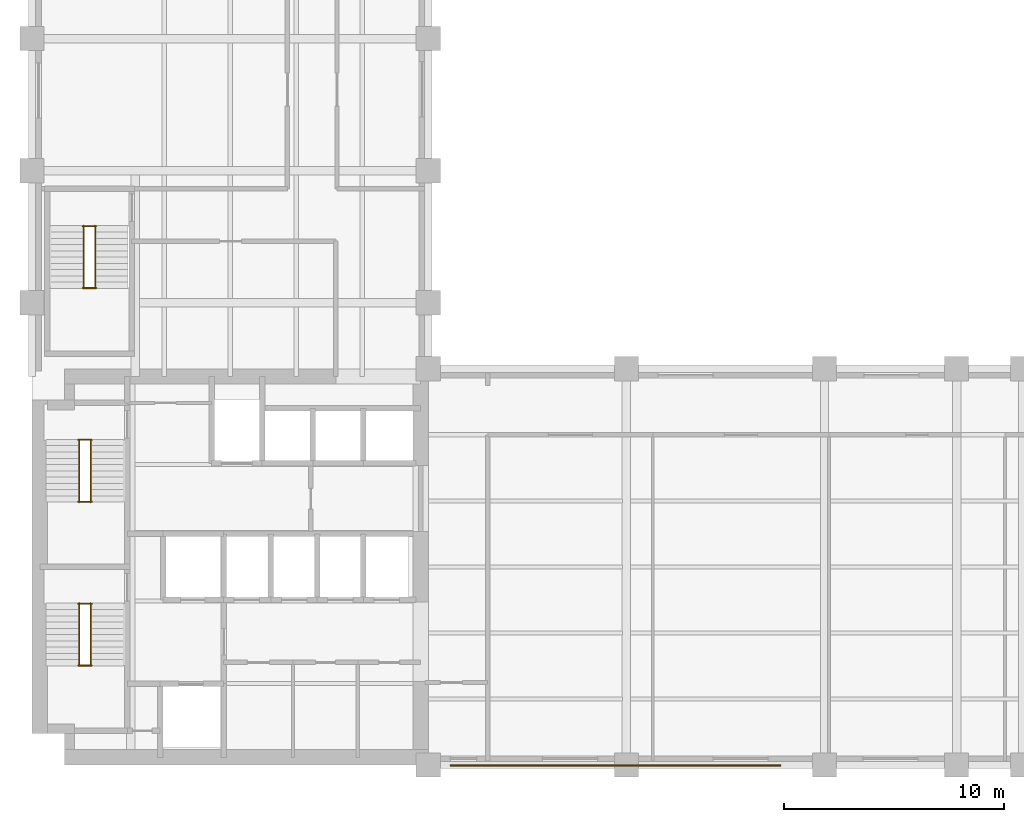
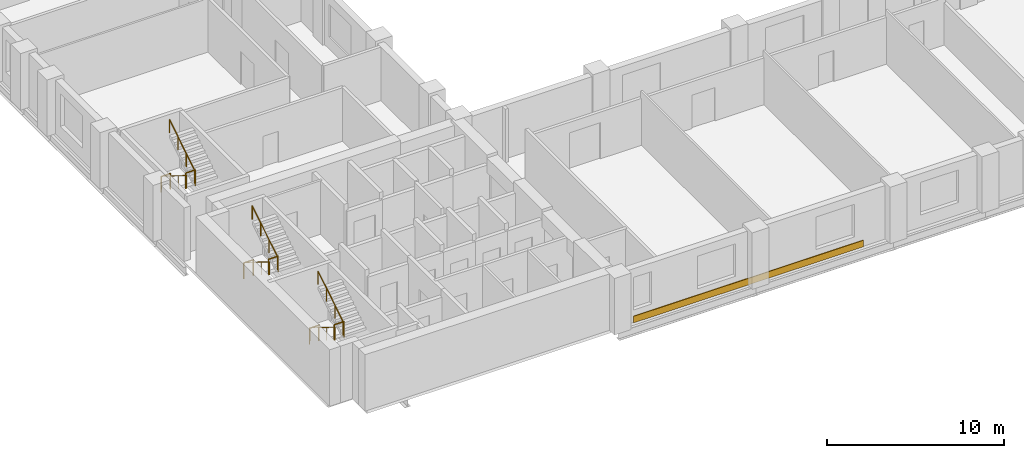
# One storey, part 7 of 7: 12 railings, 1 covering.
"""IFC4 building model written with IfcOpenShell, lengths in metres."""

import ifcopenshell
import ifcopenshell.guid

model = None  # the IFC model being written
_history = None  # IfcOwnerHistory: only IFC2X3 demands one
_inside = {}  # id of a spatial element -> (the spatial element, [elements in it])
_under = {}  # id of a project, library or spatial element -> (it, [spatial elements below it])
_declared = {}  # id of a project -> (the project, [libraries it declares])
_typed = {}  # id of a type object -> (the type object, [elements of that type])
_made_of = {}  # id of a material, layer set ... -> (it, [elements and type objects made of it])


def new_model(schema):
    """Start an empty IFC model of exactly this schema.

    Asked for "IFC4X3", IfcOpenShell would pick the latest addendum, in which some entities
    have other attributes; the version numbers below select the first issue.
    IFC2X3 requires an IfcOwnerHistory on every rooted entity: one is made here for all.
    """
    global model, _history
    if schema == "IFC4X3":
        model = ifcopenshell.file(schema_version=(4, 3, 0, 0))
    else:
        model = ifcopenshell.file(schema=schema)
    _inside.clear()
    _under.clear()
    _declared.clear()
    _typed.clear()
    _made_of.clear()
    _history = None
    if model.schema == "IFC2X3":
        org = make("IfcOrganization", Name="unknown")
        user = make(
            "IfcPersonAndOrganization",
            ThePerson=make("IfcPerson", FamilyName="unknown"),
            TheOrganization=org,
        )
        app = make(
            "IfcApplication",
            ApplicationDeveloper=org,
            Version="unknown",
            ApplicationFullName="unknown",
            ApplicationIdentifier="unknown",
        )
        _history = make(
            "IfcOwnerHistory",
            OwningUser=user,
            OwningApplication=app,
            ChangeAction="ADDED",
            CreationDate=0,
        )
    return model


def make(cls, **values):
    """One entity of the class cls with the attributes given. An attribute that is None is left unset."""
    return model.create_entity(
        cls, **{name: value for name, value in values.items() if value is not None}
    )


def rooted(cls, **values):
    """An entity with a GlobalId (a new one), such as an element, a storey or a relation."""
    return make(cls, GlobalId=ifcopenshell.guid.new(), OwnerHistory=_history, **values)


def si_unit(unit_type, name, prefix=None):
    """IfcSIUnit, for example si_unit("LENGTHUNIT", "METRE", prefix="MILLI")."""
    return make("IfcSIUnit", UnitType=unit_type, Prefix=prefix, Name=name)


def assignment(units):
    """IfcUnitAssignment: the units of a project."""
    return None if units is None else make("IfcUnitAssignment", Units=units)


def point(xyz):
    """IfcCartesianPoint."""
    return None if xyz is None else make("IfcCartesianPoint", Coordinates=xyz)


def direction(xyz):
    """IfcDirection."""
    return None if xyz is None else make("IfcDirection", DirectionRatios=xyz)


def frame(location, z_axis=None, x_axis=None):
    """IfcAxis2Placement3D, a coordinate frame: its origin and axes. An axis left out is left unset."""
    return make(
        "IfcAxis2Placement3D",
        Location=point(location),
        Axis=direction(z_axis),
        RefDirection=direction(x_axis),
    )


def frame_2d(location, x_axis=None):
    """IfcAxis2Placement2D, a coordinate frame in the plane: its origin and x axis."""
    return make(
        "IfcAxis2Placement2D", Location=point(location), RefDirection=direction(x_axis)
    )


def origin():
    """The frame at (0, 0, 0) with its axes left unset."""
    return frame((0.0, 0.0, 0.0))


def origin_2d():
    """The frame at (0, 0) in the plane with its x axis left unset."""
    return frame_2d((0.0, 0.0))


def place(relative_to, where):
    """IfcLocalPlacement: puts the frame where relative to a parent placement (None: the world)."""
    return make(
        "IfcLocalPlacement", PlacementRelTo=relative_to, RelativePlacement=where
    )


def context(
    kind, dimensions, precision=None, world=None, true_north=None, identifier=None
):
    """IfcGeometricRepresentationContext, for example the 3D "Model" context."""
    return make(
        "IfcGeometricRepresentationContext",
        ContextIdentifier=identifier,
        ContextType=kind,
        CoordinateSpaceDimension=dimensions,
        Precision=precision,
        WorldCoordinateSystem=world,
        TrueNorth=true_north,
    )


def subcontext(parent, identifier, kind, view, scale=None):
    """IfcGeometricRepresentationSubContext, for example "Body" below "Model"."""
    return make(
        "IfcGeometricRepresentationSubContext",
        ContextIdentifier=identifier,
        ContextType=kind,
        ParentContext=parent,
        TargetScale=scale,
        TargetView=view,
    )


def project(units=None, contexts=None):
    """IfcProject with its units and contexts."""
    return rooted(
        "IfcProject",
        Name="project",
        RepresentationContexts=contexts,
        UnitsInContext=assignment(units),
    )


def spatial(cls, under=None, at=None, **own):
    """A site, building, storey or space (cls), placed at a placement, below another one or the project."""
    s = rooted(cls, ObjectPlacement=at, **own)
    if under is not None:
        _under.setdefault(under.id(), (under, []))[1].append(s)
    return s


def polyline(points):
    """IfcPolyline through the points."""
    return make("IfcPolyline", Points=[point(p) for p in points])


def profile(cls, at=None, kind="AREA", **sizes):
    """A parametric profile (cls). Its sizes go by their IFC names, for example OverallWidth=200.0."""
    return make(cls, ProfileType=kind, Position=at, **sizes)


def circle(**sizes):
    """IfcCircleProfileDef."""
    return profile("IfcCircleProfileDef", **sizes)


def outline(outer, holes=None, kind="AREA"):
    """IfcArbitraryClosedProfileDef: a profile drawn as a closed curve; with holes, ...WithVoids."""
    if holes is None:
        return make("IfcArbitraryClosedProfileDef", ProfileType=kind, OuterCurve=outer)
    return make(
        "IfcArbitraryProfileDefWithVoids",
        ProfileType=kind,
        OuterCurve=outer,
        InnerCurves=holes,
    )


def extrude(swept, where, along, depth):
    """IfcExtrudedAreaSolid: the profile swept, set in the frame where, extruded along a direction by depth."""
    return make(
        "IfcExtrudedAreaSolid",
        SweptArea=swept,
        Position=where,
        ExtrudedDirection=direction(along),
        Depth=depth,
    )


def shape(context_of_items, identifier, shape_type, items):
    """IfcShapeRepresentation: the items that make up one representation, for example the "Body"."""
    return make(
        "IfcShapeRepresentation",
        ContextOfItems=context_of_items,
        RepresentationIdentifier=identifier,
        RepresentationType=shape_type,
        Items=items,
    )


def material(Name=None, Category=None):
    """IfcMaterial."""
    return make("IfcMaterial", Name=Name, Category=Category)


def layer(
    of_material, thickness, ventilated=None, Name=None, Category=None, Priority=None
):
    """IfcMaterialLayer: one layer of a wall or slab, of a material (None: an air gap)."""
    return make(
        "IfcMaterialLayer",
        Material=of_material,
        LayerThickness=thickness,
        IsVentilated=ventilated,
        Name=Name,
        Category=Category,
        Priority=Priority,
    )


def layer_set(layers, Name=None):
    """IfcMaterialLayerSet."""
    return make("IfcMaterialLayerSet", MaterialLayers=layers, LayerSetName=Name)


def made_of(thing, what):
    """Note that an element or type object is made of a material, layer set ...; save() writes the relation."""
    if what is not None:
        _made_of.setdefault(what.id(), (what, []))[1].append(thing)
    return thing


def type_object(cls, material=None, **own):
    """A type object (cls), such as IfcWallType, which elements share."""
    return made_of(rooted(cls, **own), material)


def element(
    cls,
    number,
    at=None,
    inside=None,
    cuts=None,
    type_object=None,
    material=None,
    context=None,
    identifier="Body",
    shape_type=None,
    held_by="IfcProductDefinitionShape",
    body=None,
    shapes=None,
    **own,
):
    """One element of the class cls, such as IfcWall. Its Tag is "e" and its number.

    at: its placement. inside: the storey or other place that contains it. cuts: it is an
    opening in that element (IfcRelVoidsElement). A single representation is given by context,
    identifier, shape_type and body (its items); several are given by shapes. held_by: the class
    of the entity that holds the representations. save() writes the other relations.
    """
    e = rooted(cls, Tag="e%d" % number, ObjectPlacement=at, **own)
    if body is not None:
        shapes = [shape(context, identifier, shape_type, body)]
    if shapes is not None:
        e.Representation = make(held_by, Representations=shapes)
    if inside is not None:
        _inside.setdefault(inside.id(), (inside, []))[1].append(e)
    if cuts is not None:
        rooted(
            "IfcRelVoidsElement", RelatingBuildingElement=cuts, RelatedOpeningElement=e
        )
    if type_object is not None:
        _typed.setdefault(type_object.id(), (type_object, []))[1].append(e)
    return made_of(e, material)


def aggregate(whole, parts):
    """IfcRelAggregates: a whole, such as a stair, and the parts it consists of."""
    return rooted("IfcRelAggregates", RelatingObject=whole, RelatedObjects=parts)


def save(model, path):
    """Write the relations noted so far, then the file.

    IfcRelAggregates (storeys below a building ...), IfcRelContainedInSpatialStructure (elements
    in a storey), IfcRelDefinesByType, IfcRelAssociatesMaterial and IfcRelDeclares: one each for
    every whole, place, type object, material and project.
    """
    for whole, parts in _under.values():
        aggregate(whole, parts)
    for where, things in _inside.values():
        rooted(
            "IfcRelContainedInSpatialStructure",
            RelatedElements=things,
            RelatingStructure=where,
        )
    for kind, things in _typed.values():
        rooted("IfcRelDefinesByType", RelatedObjects=things, RelatingType=kind)
    for what, things in _made_of.values():
        rooted("IfcRelAssociatesMaterial", RelatedObjects=things, RelatingMaterial=what)
    for by, libraries in _declared.values():
        rooted("IfcRelDeclares", RelatingContext=by, RelatedDefinitions=libraries)
    model.write(path)


model = new_model("IFC4")

# Units and contexts
model_context = context("Model", 3, precision=1e-05, world=origin(), true_north=direction((0.0, 1.0)))
body_context = subcontext(model_context, "Body", "Model", "MODEL_VIEW")
ifc_project = project(units=[si_unit("LENGTHUNIT", "METRE"), si_unit("AREAUNIT", "SQUARE_METRE"), si_unit("VOLUMEUNIT", "CUBIC_METRE"), si_unit("PLANEANGLEUNIT", "RADIAN"), si_unit("MASSUNIT", "GRAM", prefix="KILO")], contexts=[model_context])

# Site, building, storey
site_placement = place(None, origin())
site = spatial("IfcSite", under=ifc_project, at=site_placement, CompositionType="ELEMENT")
building_placement = place(site_placement, origin())
building = spatial("IfcBuilding", under=site, at=building_placement, Name="Mawjdan Bourse Tower", CompositionType="ELEMENT")
storey_placement = place(building_placement, frame((0.0, 0.0, 105.0)))
storey = spatial("IfcBuildingStorey", under=building, at=storey_placement, Name="L24", CompositionType="ELEMENT", Elevation=105.0)

# Covering
ifc_material_1 = material(Name="Honed Qatari Limestone Coping", Category="masonry")
ifc_layer = layer(ifc_material_1, 0.054931640625)
ifc_layer_set = layer_set([ifc_layer], Name="Honed Qatari Limestone Coping")
covering_type = type_object("IfcCoveringType", Name="COV-CLD-SPN", PredefinedType="CLADDING", material=ifc_layer_set)
covering_placement = place(storey_placement, origin())
element("IfcCovering", 1, at=covering_placement, inside=storey, type_object=covering_type, Name="L24 Limestone Spandrel Coping Trim", PredefinedType="CLADDING", context=body_context, shape_type="SweptSolid", body=[
    extrude(outline(polyline([(25.0, 2.949951171875), (40.0, 2.949951171875), (40.0, 3.010009765625), (25.0, 3.010009765625), (25.0, 2.949951171875)])), origin(), (0.0, 0.0, 1.0), 0.449951171875),
])

# Railings
ifc_material_2 = material(Name="Structural Steel S355", Category="steel")
railing_type_1 = type_object("IfcRailingType", Name="RLG-GRD-1100", PredefinedType="GUARDRAIL", material=ifc_material_2)
for number, where, name in (
    (2, (8.090087890625, 7.52001953125, 1.949951171875), "L24 ST1 Landing Guardrail GL-MID"),
    (3, (8.090087890625, 10.330078125, 0.0), "L24 ST1 Landing Guardrail GL-BOT"),
    (4, (8.090087890625, 14.9599609375, 1.949951171875), "L24 ST2 Landing Guardrail GL-MID"),
    (5, (8.090087890625, 17.77001953125, 0.0), "L24 ST2 Landing Guardrail GL-BOT"),
    (6, (8.2900390625, 24.669921875, 1.949951171875), "L24 ST3 Landing Guardrail GL-MID"),
    (7, (8.2900390625, 27.47998046875, 0.0), "L24 ST3 Landing Guardrail GL-BOT"),
):
    element("IfcRailing", number, at=place(storey_placement, frame(where)), inside=storey, type_object=railing_type_1, Name=name, PredefinedType="GUARDRAIL", context=body_context, shape_type="SweptSolid", body=[
        extrude(circle(Radius=0.02490234375, at=origin_2d()), frame((0.0, 0.0, 1.0751953125), z_axis=(1.0, 0.0, 0.0), x_axis=(0.0, 1.0, 0.0)), (0.0, 0.0, 1.0), 0.619873046875),
        extrude(circle(Radius=0.02099609375, at=origin_2d()), origin(), (0.0, 0.0, 1.0), 1.050048828125),
        extrude(circle(Radius=0.02099609375, at=origin_2d()), frame((0.619873046875, 0.0, 0.0)), (0.0, 0.0, 1.0), 1.050048828125),
    ])
ifc_material_3 = material(Name="Brushed Stainless Steel", Category="steel")
railing_type_2 = type_object("IfcRailingType", Name="RLG-HND-920", PredefinedType="HANDRAIL", material=ifc_material_3)
railing_1_placement = place(storey_placement, frame((8.139892578125, 10.35009765625, 0.17724609375)))
element("IfcRailing", 8, at=railing_1_placement, inside=storey, type_object=railing_type_2, Name="L24 ST1 Flight Handrail HR1", PredefinedType="HANDRAIL", context=body_context, shape_type="SweptSolid", body=[
    extrude(circle(Radius=0.0224609375, at=origin_2d()), frame((0.0, 0.0, 0.8974609375), z_axis=(0.0, -0.849148672731, 0.528153890072), x_axis=(1.0, 0.0, 0.0)), (0.0, 0.0, 1.0), 3.3564453125),
    extrude(circle(Radius=0.01904296875, at=origin_2d()), origin(), (0.0, 0.0, 1.0), 0.875),
    extrude(circle(Radius=0.01904296875, at=origin_2d()), frame((0.0, -0.949951171875, 0.5908203125)), (0.0, 0.0, 1.0), 0.875),
    extrude(circle(Radius=0.01904296875, at=origin_2d()), frame((0.0, -1.900146484375, 1.181884765625)), (0.0, 0.0, 1.0), 0.875),
    extrude(circle(Radius=0.01904296875, at=origin_2d()), frame((0.0, -2.85009765625, 1.772705078125)), (0.0, 0.0, 1.0), 0.875),
])
railing_2_placement = place(storey_placement, frame((8.659912109375, 7.5, 2.127197265625)))
element("IfcRailing", 9, at=railing_2_placement, inside=storey, type_object=railing_type_2, Name="L24 ST1 Flight Handrail HR2", PredefinedType="HANDRAIL", context=body_context, shape_type="SweptSolid", body=[
    extrude(circle(Radius=0.0224609375, at=origin_2d()), frame((0.0, 0.0, 0.8974609375), z_axis=(0.0, 0.849148672731, 0.528153890072), x_axis=(-1.0, 0.0, 0.0)), (0.0, 0.0, 1.0), 3.3564453125),
    extrude(circle(Radius=0.01904296875, at=origin_2d()), origin(), (0.0, 0.0, 1.0), 0.875),
    extrude(circle(Radius=0.01904296875, at=origin_2d()), frame((0.0, 0.949951171875, 0.5908203125)), (0.0, 0.0, 1.0), 0.875),
    extrude(circle(Radius=0.01904296875, at=origin_2d()), frame((0.0, 1.900146484375, 1.181884765625)), (0.0, 0.0, 1.0), 0.875),
    extrude(circle(Radius=0.01904296875, at=origin_2d()), frame((0.0, 2.85009765625, 1.772705078125)), (0.0, 0.0, 1.0), 0.875),
])
railing_3_placement = place(storey_placement, frame((8.139892578125, 17.7900390625, 0.17724609375)))
element("IfcRailing", 10, at=railing_3_placement, inside=storey, type_object=railing_type_2, Name="L24 ST2 Flight Handrail HR1", PredefinedType="HANDRAIL", context=body_context, shape_type="SweptSolid", body=[
    extrude(circle(Radius=0.0224609375, at=origin_2d()), frame((0.0, 0.0, 0.8974609375), z_axis=(0.0, -0.849148672731, 0.528153890072), x_axis=(1.0, 0.0, 0.0)), (0.0, 0.0, 1.0), 3.3564453125),
    extrude(circle(Radius=0.01904296875, at=origin_2d()), origin(), (0.0, 0.0, 1.0), 0.875),
    extrude(circle(Radius=0.01904296875, at=origin_2d()), frame((0.0, -0.949951171875, 0.5908203125)), (0.0, 0.0, 1.0), 0.875),
    extrude(circle(Radius=0.01904296875, at=origin_2d()), frame((0.0, -1.900146484375, 1.181884765625)), (0.0, 0.0, 1.0), 0.875),
    extrude(circle(Radius=0.01904296875, at=origin_2d()), frame((0.0, -2.85009765625, 1.772705078125)), (0.0, 0.0, 1.0), 0.875),
])
railing_4_placement = place(storey_placement, frame((8.659912109375, 14.93994140625, 2.127197265625)))
element("IfcRailing", 11, at=railing_4_placement, inside=storey, type_object=railing_type_2, Name="L24 ST2 Flight Handrail HR2", PredefinedType="HANDRAIL", context=body_context, shape_type="SweptSolid", body=[
    extrude(circle(Radius=0.0224609375, at=origin_2d()), frame((0.0, 0.0, 0.8974609375), z_axis=(0.0, 0.849148672731, 0.528153890072), x_axis=(-1.0, 0.0, 0.0)), (0.0, 0.0, 1.0), 3.3564453125),
    extrude(circle(Radius=0.01904296875, at=origin_2d()), origin(), (0.0, 0.0, 1.0), 0.875),
    extrude(circle(Radius=0.01904296875, at=origin_2d()), frame((0.0, 0.949951171875, 0.5908203125)), (0.0, 0.0, 1.0), 0.875),
    extrude(circle(Radius=0.01904296875, at=origin_2d()), frame((0.0, 1.900146484375, 1.181884765625)), (0.0, 0.0, 1.0), 0.875),
    extrude(circle(Radius=0.01904296875, at=origin_2d()), frame((0.0, 2.85009765625, 1.772705078125)), (0.0, 0.0, 1.0), 0.875),
])
railing_5_placement = place(storey_placement, frame((8.340087890625, 27.5, 0.17724609375)))
element("IfcRailing", 12, at=railing_5_placement, inside=storey, type_object=railing_type_2, Name="L24 ST3 Flight Handrail HR1", PredefinedType="HANDRAIL", context=body_context, shape_type="SweptSolid", body=[
    extrude(circle(Radius=0.0224609375, at=origin_2d()), frame((0.0, 0.0, 0.8974609375), z_axis=(0.0, -0.849148672731, 0.528153890072), x_axis=(1.0, 0.0, 0.0)), (0.0, 0.0, 1.0), 3.3564453125),
    extrude(circle(Radius=0.01904296875, at=origin_2d()), origin(), (0.0, 0.0, 1.0), 0.875),
    extrude(circle(Radius=0.01904296875, at=origin_2d()), frame((0.0, -0.949951171875, 0.5908203125)), (0.0, 0.0, 1.0), 0.875),
    extrude(circle(Radius=0.01904296875, at=origin_2d()), frame((0.0, -1.900146484375, 1.181884765625)), (0.0, 0.0, 1.0), 0.875),
    extrude(circle(Radius=0.01904296875, at=origin_2d()), frame((0.0, -2.85009765625, 1.772705078125)), (0.0, 0.0, 1.0), 0.875),
])
railing_6_placement = place(storey_placement, frame((8.860107421875, 24.64990234375, 2.127197265625)))
element("IfcRailing", 13, at=railing_6_placement, inside=storey, type_object=railing_type_2, Name="L24 ST3 Flight Handrail HR2", PredefinedType="HANDRAIL", context=body_context, shape_type="SweptSolid", body=[
    extrude(circle(Radius=0.0224609375, at=origin_2d()), frame((0.0, 0.0, 0.8974609375), z_axis=(0.0, 0.849148672731, 0.528153890072), x_axis=(-1.0, 0.0, 0.0)), (0.0, 0.0, 1.0), 3.3564453125),
    extrude(circle(Radius=0.01904296875, at=origin_2d()), origin(), (0.0, 0.0, 1.0), 0.875),
    extrude(circle(Radius=0.01904296875, at=origin_2d()), frame((0.0, 0.949951171875, 0.5908203125)), (0.0, 0.0, 1.0), 0.875),
    extrude(circle(Radius=0.01904296875, at=origin_2d()), frame((0.0, 1.900146484375, 1.181884765625)), (0.0, 0.0, 1.0), 0.875),
    extrude(circle(Radius=0.01904296875, at=origin_2d()), frame((0.0, 2.85009765625, 1.772705078125)), (0.0, 0.0, 1.0), 0.875),
])

save(model, "model.ifc")
